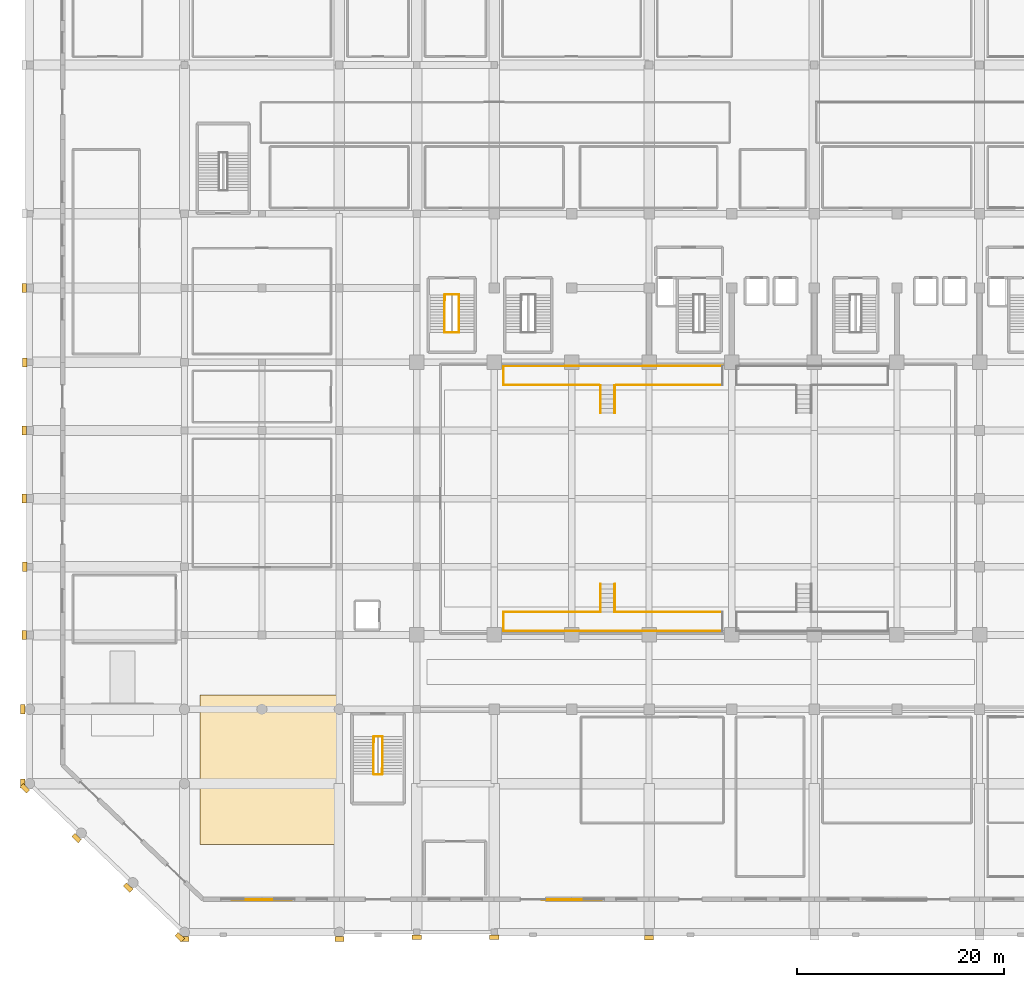
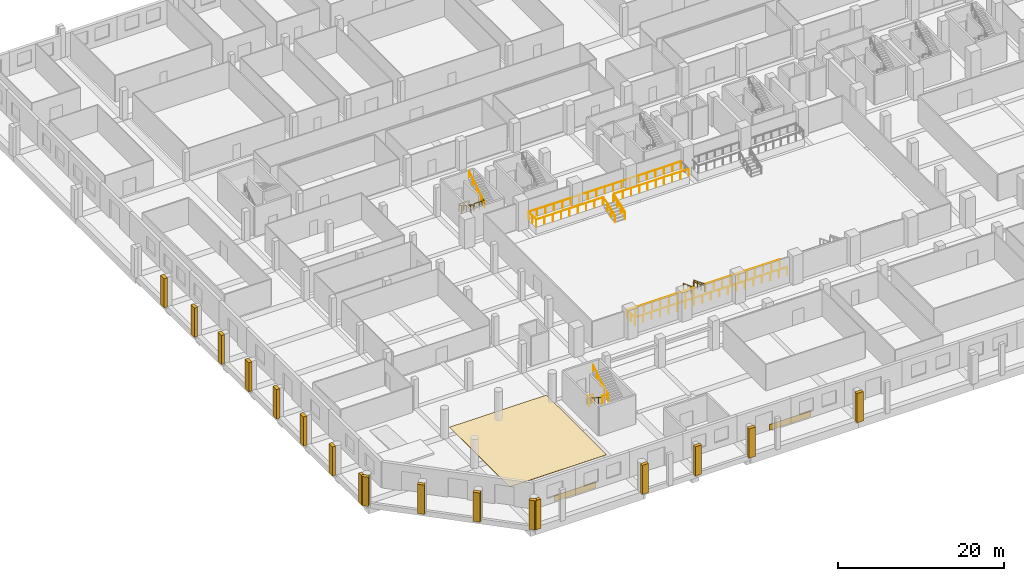
# One storey, part 27 of 33: 22 railings, 20 coverings.
"""IFC4 building model written with IfcOpenShell, lengths in metres."""

from ifc_helpers import new_model, si_unit, direction, frame, origin, origin_2d, place, context, subcontext, project, spatial, rectangle, circle, extrude, material, layer, layer_set, type_object, element, save


model = new_model("IFC4")

# Units and contexts
model_context = context("Model", 3, precision=1e-05, world=origin(), true_north=direction((0.0, 1.0)))
body_context = subcontext(model_context, "Body", "Model", "MODEL_VIEW")
ifc_project = project(units=[si_unit("LENGTHUNIT", "METRE"), si_unit("AREAUNIT", "SQUARE_METRE"), si_unit("VOLUMEUNIT", "CUBIC_METRE"), si_unit("PLANEANGLEUNIT", "RADIAN"), si_unit("MASSUNIT", "GRAM", prefix="KILO")], contexts=[model_context])

# Site, building, storey
site_placement = place(None, origin())
site = spatial("IfcSite", under=ifc_project, at=site_placement, CompositionType="ELEMENT")
building_placement = place(site_placement, origin())
building = spatial("IfcBuilding", under=site, at=building_placement, Name="Akrevak Sports Hall", CompositionType="ELEMENT")
storey_placement = place(building_placement, origin())
storey = spatial("IfcBuildingStorey", under=building, at=storey_placement, Name="L00", CompositionType="ELEMENT", Elevation=0.0)

# Coverings
ifc_material_1 = material(Name="Limestone Ashlar", Category="stone")
ifc_layer_1 = layer(ifc_material_1, 0.080078125, Name="Limestone Ashlar")
ifc_layer_set_1 = layer_set([ifc_layer_1], Name="Limestone Ashlar")
covering_type_1 = type_object("IfcCoveringType", Name="ARC-COV-CLAD-LIM", PredefinedType="CLADDING", material=ifc_layer_set_1)
for number, where, z_axis, x_axis, name in (
    (1, (22.5, 3.159912109375, 0.02490234375), (0.0, 0.0, 1.0), (1.0, 0.0, 0.0), "Arcade Limestone Plinth Band S01"),
    (2, (52.5, 3.159912109375, 0.02490234375), (0.0, 0.0, 1.0), (1.0, 0.0, 0.0), "Arcade Limestone Plinth Band S02"),
):
    element("IfcCovering", number, at=place(storey_placement, frame(where, z_axis=z_axis, x_axis=x_axis)), inside=storey, type_object=covering_type_1, Name=name, PredefinedType="CLADDING", context=body_context, shape_type="SweptSolid", body=[
        extrude(rectangle(XDim=5.800048828125, YDim=0.080078125, at=origin_2d()), origin(), (0.0, 0.0, 1.0), 0.85009765625),
    ])
ifc_material_2 = material(Name="Polished Marmara Marble Terrazzo", Category="stone")
ifc_layer_2 = layer(ifc_material_2, 0.034912109375, Name="Polished Marmara Marble Terrazzo")
ifc_layer_set_2 = layer_set([ifc_layer_2], Name="Polished Marmara Marble Terrazzo")
covering_type_2 = type_object("IfcCoveringType", Name="ARC-COV-FLR-TERZ", PredefinedType="FLOORING", material=ifc_layer_set_2)
covering_placement = place(storey_placement, frame((23.25, 15.75, 0.0), z_axis=(0.0, 0.0, 1.0), x_axis=(1.0, 0.0, 0.0)))
element("IfcCovering", 3, at=covering_placement, inside=storey, type_object=covering_type_2, Name="Rotunda Marmara Terrazzo Flooring", PredefinedType="FLOORING", context=body_context, shape_type="SweptSolid", body=[
    extrude(rectangle(XDim=13.5, YDim=14.5, at=origin_2d()), origin(), (0.0, 0.0, 1.0), 0.034912109375),
])
ifc_layer_3 = layer(ifc_material_1, 0.47998046875, Name="Limestone Ashlar")
ifc_layer_set_3 = layer_set([ifc_layer_3], Name="Limestone Ashlar")
covering_type_3 = type_object("IfcCoveringType", Name="ARC-COV-PIL-LIM", PredefinedType="CLADDING", material=ifc_layer_set_3)
for number, where, z_axis, x_axis, name in (
    (4, (15.0, -0.64990234375, 0.0), (0.0, 0.0, 1.0), (1.0, 0.0, 0.0), "Giant-Order Limestone Pilaster L00-01-01"),
    (5, (30.0, -0.64990234375, 0.0), (0.0, 0.0, 1.0), (1.0, 0.0, 0.0), "Giant-Order Limestone Pilaster L00-01-02"),
    (6, (37.5, -0.47509765625, 0.0), (0.0, 0.0, 1.0), (1.0, 0.0, 0.0), "Giant-Order Limestone Pilaster L00-01-03"),
    (7, (45.0, -0.47509765625, 0.0), (0.0, 0.0, 1.0), (1.0, 0.0, 0.0), "Giant-Order Limestone Pilaster L00-01-04"),
    (8, (60.0, -0.52490234375, 0.0), (0.0, 0.0, 1.0), (1.0, 0.0, 0.0), "Giant-Order Limestone Pilaster L00-01-05"),
    (9, (-0.64990234375, 14.39990234375, 0.0), (0.0, 0.0, 1.0), (0.0, -1.0, 0.0), "Giant-Order Limestone Pilaster L00-04-39"),
    (10, (-0.64990234375, 21.60009765625, 0.0), (0.0, 0.0, 1.0), (0.0, -1.0, 0.0), "Giant-Order Limestone Pilaster L00-04-40"),
    (11, (-0.52490234375, 28.800048828125, 0.0), (0.0, 0.0, 1.0), (0.0, -1.0, 0.0), "Giant-Order Limestone Pilaster L00-04-41"),
    (12, (-0.47509765625, 35.39990234375, 0.0), (0.0, 0.0, 1.0), (0.0, -1.0, 0.0), "Giant-Order Limestone Pilaster L00-04-42"),
    (13, (-0.52490234375, 42.0, 0.0), (0.0, 0.0, 1.0), (0.0, -1.0, 0.0), "Giant-Order Limestone Pilaster L00-04-43"),
    (14, (-0.52490234375, 48.60009765625, 0.0), (0.0, 0.0, 1.0), (0.0, -1.0, 0.0), "Giant-Order Limestone Pilaster L00-04-44"),
    (15, (-0.47509765625, 55.199951171875, 0.0), (0.0, 0.0, 1.0), (0.0, -1.0, 0.0), "Giant-Order Limestone Pilaster L00-04-45"),
    (16, (-0.52490234375, 62.39990234375, 0.0), (0.0, 0.0, 1.0), (0.0, -1.0, 0.0), "Giant-Order Limestone Pilaster L00-04-46"),
    (17, (-0.4501953125, 13.93115234375, 0.0), (0.0, 0.0, 1.0), (0.721385636978, -0.692533582407, 0.0), "Giant-Order Limestone Pilaster L00-05-49"),
    (18, (4.5498046875, 9.131103515625, 0.0), (0.0, 0.0, 1.0), (0.721385636978, -0.692533582407, 0.0), "Giant-Order Limestone Pilaster L00-05-50"),
    (19, (9.5498046875, 4.3310546875, 0.0), (0.0, 0.0, 1.0), (0.721385636978, -0.692533582407, 0.0), "Giant-Order Limestone Pilaster L00-05-51"),
    (20, (14.5498046875, -0.468994140625, 0.0), (0.0, 0.0, 1.0), (0.721385636978, -0.692533582407, 0.0), "Giant-Order Limestone Pilaster L00-05-51"),
):
    element("IfcCovering", number, at=place(storey_placement, frame(where, z_axis=z_axis, x_axis=x_axis)), inside=storey, type_object=covering_type_3, Name=name, PredefinedType="CLADDING", context=body_context, shape_type="SweptSolid", body=[
        extrude(rectangle(XDim=0.8798828125, YDim=0.4599609375, at=origin_2d()), origin(), (0.0, 0.0, 1.0), 4.300048828125),
    ])

# Railings
ifc_material_3 = material(Name="Painted Architectural Balustrade Steel", Category="steel")
ifc_layer_4 = layer(ifc_material_3, 0.06005859375, Name="Painted Architectural Balustrade Steel")
ifc_layer_set_4 = layer_set([ifc_layer_4], Name="Painted Architectural Balustrade Steel")
railing_type_1 = type_object("IfcRailingType", Name="ARC-RL-GRD-1120", PredefinedType="GUARDRAIL", material=ifc_layer_set_4)
railing_1_placement = place(storey_placement, frame((33.360107421875, 18.429931640625, 0.0)))
element("IfcRailing", 21, at=railing_1_placement, inside=storey, type_object=railing_type_1, Name="Stair Floor Landing Well Guard ST5 (L00)", PredefinedType="GUARDRAIL", context=body_context, shape_type="SweptSolid", body=[
    extrude(circle(Radius=0.02392578125, at=origin_2d()), frame((0.0, 0.0, 1.09619140625), z_axis=(0.0, 1.0, 0.0), x_axis=(-1.0, 0.0, 0.0)), (0.0, 0.0, 1.0), 0.550048828125),
    extrude(circle(Radius=0.02392578125, at=origin_2d()), frame((0.0, 0.550048828125, 1.09619140625), z_axis=(1.0, 0.0, 0.0), x_axis=(0.0, 1.0, 0.0)), (0.0, 0.0, 1.0), 0.809814453125),
    extrude(circle(Radius=0.02099609375, at=origin_2d()), origin(), (0.0, 0.0, 1.0), 1.072021484375),
    extrude(circle(Radius=0.02099609375, at=origin_2d()), frame((0.0, 0.550048828125, 0.0)), (0.0, 0.0, 1.0), 1.072021484375),
    extrude(circle(Radius=0.02099609375, at=origin_2d()), frame((0.809814453125, 0.550048828125, 0.0)), (0.0, 0.0, 1.0), 1.072021484375),
])
railing_2_placement = place(storey_placement, frame((33.330078125, 15.280029296875, 2.300048828125)))
element("IfcRailing", 22, at=railing_2_placement, inside=storey, type_object=railing_type_1, Name="Stair Landing Well Guard ST5-L00-1", PredefinedType="GUARDRAIL", context=body_context, shape_type="SweptSolid", body=[
    extrude(circle(Radius=0.02392578125, at=origin_2d()), frame((0.0, 0.0, 1.09619140625), z_axis=(1.0, 0.0, 0.0), x_axis=(0.0, 1.0, 0.0)), (0.0, 0.0, 1.0), 0.809814453125),
    extrude(circle(Radius=0.02392578125, at=origin_2d()), frame((0.809814453125, 0.0, 1.09619140625), z_axis=(0.0, 1.0, 0.0), x_axis=(-1.0, 0.0, 0.0)), (0.0, 0.0, 1.0), 0.52001953125),
    extrude(circle(Radius=0.02099609375, at=origin_2d()), origin(), (0.0, 0.0, 1.0), 1.072021484375),
    extrude(circle(Radius=0.02099609375, at=origin_2d()), frame((0.809814453125, 0.0, 0.0)), (0.0, 0.0, 1.0), 1.072021484375),
    extrude(circle(Radius=0.02099609375, at=origin_2d()), frame((0.809814453125, 0.52001953125, 0.0)), (0.0, 0.0, 1.0), 1.072021484375),
])
railing_3_placement = place(storey_placement, frame((40.219970703125, 61.215087890625, 0.0)))
element("IfcRailing", 23, at=railing_3_placement, inside=storey, type_object=railing_type_1, Name="Stair Floor Landing Well Guard ST9 (L00)", PredefinedType="GUARDRAIL", context=body_context, shape_type="SweptSolid", body=[
    extrude(circle(Radius=0.02392578125, at=origin_2d()), frame((0.0, 0.0, 1.09619140625), z_axis=(0.0, 1.0, 0.0), x_axis=(-1.0, 0.0, 0.0)), (0.0, 0.0, 1.0), 0.5498046875),
    extrude(circle(Radius=0.02392578125, at=origin_2d()), frame((0.0, 0.5498046875, 1.09619140625), z_axis=(1.0, 0.0, 0.0), x_axis=(0.0, 1.0, 0.0)), (0.0, 0.0, 1.0), 1.39013671875),
    extrude(circle(Radius=0.02099609375, at=origin_2d()), origin(), (0.0, 0.0, 1.0), 1.072021484375),
    extrude(circle(Radius=0.02099609375, at=origin_2d()), frame((0.0, 0.5498046875, 0.0)), (0.0, 0.0, 1.0), 1.072021484375),
    extrude(circle(Radius=0.02099609375, at=origin_2d()), frame((0.695068359375, 0.5498046875, 0.0)), (0.0, 0.0, 1.0), 1.072021484375),
    extrude(circle(Radius=0.02099609375, at=origin_2d()), frame((1.39013671875, 0.5498046875, 0.0)), (0.0, 0.0, 1.0), 1.072021484375),
])
railing_4_placement = place(storey_placement, frame((40.18994140625, 58.06494140625, 2.300048828125)))
element("IfcRailing", 24, at=railing_4_placement, inside=storey, type_object=railing_type_1, Name="Stair Landing Well Guard ST9-L00-1", PredefinedType="GUARDRAIL", context=body_context, shape_type="SweptSolid", body=[
    extrude(circle(Radius=0.02392578125, at=origin_2d()), frame((0.0, 0.0, 1.09619140625), z_axis=(1.0, 0.0, 0.0), x_axis=(0.0, 1.0, 0.0)), (0.0, 0.0, 1.0), 1.39013671875),
    extrude(circle(Radius=0.02392578125, at=origin_2d()), frame((1.39013671875, 0.0, 1.09619140625), z_axis=(0.0, 1.0, 0.0), x_axis=(-1.0, 0.0, 0.0)), (0.0, 0.0, 1.0), 0.52001953125),
    extrude(circle(Radius=0.02099609375, at=origin_2d()), origin(), (0.0, 0.0, 1.0), 1.072021484375),
    extrude(circle(Radius=0.02099609375, at=origin_2d()), frame((0.695068359375, 0.0, 0.0)), (0.0, 0.0, 1.0), 1.072021484375),
    extrude(circle(Radius=0.02099609375, at=origin_2d()), frame((1.39013671875, 0.0, 0.0)), (0.0, 0.0, 1.0), 1.072021484375),
    extrude(circle(Radius=0.02099609375, at=origin_2d()), frame((1.39013671875, 0.52001953125, 0.0)), (0.0, 0.0, 1.0), 1.072021484375),
])
for number, where, name in (
    (25, (55.280029296875, 33.719970703125, 0.0), "Handball South Stand Gangway 1 Side Guardrail L"),
    (26, (56.719970703125, 33.719970703125, 0.0), "Handball South Stand Gangway 1 Side Guardrail R"),
):
    element("IfcRailing", number, at=place(storey_placement, frame(where)), inside=storey, type_object=railing_type_1, Name=name, PredefinedType="GUARDRAIL", context=body_context, shape_type="SweptSolid", body=[
        extrude(circle(Radius=0.02392578125, at=origin_2d()), frame((0.0, 0.0, 1.09619140625), z_axis=(0.0, -0.931996763482, 0.362466595509), x_axis=(1.0, 0.0, 0.0)), (0.0, 0.0, 1.0), 2.89697265625),
        extrude(circle(Radius=0.02099609375, at=origin_2d()), origin(), (0.0, 0.0, 1.0), 1.072021484375),
        extrude(circle(Radius=0.02099609375, at=origin_2d()), frame((0.0, -0.89990234375, 0.35009765625)), (0.0, 0.0, 1.0), 1.072021484375),
        extrude(circle(Radius=0.02099609375, at=origin_2d()), frame((0.0, -1.800048828125, 0.699951171875)), (0.0, 0.0, 1.0), 1.072021484375),
        extrude(circle(Radius=0.02099609375, at=origin_2d()), frame((0.0, -2.699951171875, 1.050048828125)), (0.0, 0.0, 1.0), 1.072021484375),
    ])
for number, where, name in (
    (27, (55.280029296875, 50.280029296875, 0.0), "Handball North Stand Gangway 3 Side Guardrail L"),
    (28, (56.719970703125, 50.280029296875, 0.0), "Handball North Stand Gangway 3 Side Guardrail R"),
):
    element("IfcRailing", number, at=place(storey_placement, frame(where)), inside=storey, type_object=railing_type_1, Name=name, PredefinedType="GUARDRAIL", context=body_context, shape_type="SweptSolid", body=[
        extrude(circle(Radius=0.02392578125, at=origin_2d()), frame((0.0, 0.0, 1.09619140625), z_axis=(0.0, 0.931996763482, 0.362466595509), x_axis=(-1.0, 0.0, 0.0)), (0.0, 0.0, 1.0), 2.89697265625),
        extrude(circle(Radius=0.02099609375, at=origin_2d()), origin(), (0.0, 0.0, 1.0), 1.072021484375),
        extrude(circle(Radius=0.02099609375, at=origin_2d()), frame((0.0, 0.89990234375, 0.35009765625)), (0.0, 0.0, 1.0), 1.072021484375),
        extrude(circle(Radius=0.02099609375, at=origin_2d()), frame((0.0, 1.800048828125, 0.699951171875)), (0.0, 0.0, 1.0), 1.072021484375),
        extrude(circle(Radius=0.02099609375, at=origin_2d()), frame((0.0, 2.699951171875, 1.050048828125)), (0.0, 0.0, 1.0), 1.072021484375),
    ])
railing_5_placement = place(storey_placement, frame((45.8798828125, 29.179931640625, 1.050048828125)))
element("IfcRailing", 29, at=railing_5_placement, inside=storey, type_object=railing_type_1, Name="Spectator Stand Crowd Barrier HB-S1-BACK", PredefinedType="GUARDRAIL", context=body_context, shape_type="SweptSolid", body=[
    extrude(circle(Radius=0.02392578125, at=origin_2d()), frame((0.0, 0.0, 1.09619140625), z_axis=(1.0, 0.0, 0.0), x_axis=(0.0, 1.0, 0.0)), (0.0, 0.0, 1.0), 21.240234375),
    extrude(circle(Radius=0.02099609375, at=origin_2d()), origin(), (0.0, 0.0, 1.0), 1.072021484375),
    extrude(circle(Radius=0.02099609375, at=origin_2d()), frame((1.179931640625, 0.0, 0.0)), (0.0, 0.0, 1.0), 1.072021484375),
    extrude(circle(Radius=0.02099609375, at=origin_2d()), frame((2.360107421875, 0.0, 0.0)), (0.0, 0.0, 1.0), 1.072021484375),
    extrude(circle(Radius=0.02099609375, at=origin_2d()), frame((3.5400390625, 0.0, 0.0)), (0.0, 0.0, 1.0), 1.072021484375),
    extrude(circle(Radius=0.02099609375, at=origin_2d()), frame((4.719970703125, 0.0, 0.0)), (0.0, 0.0, 1.0), 1.072021484375),
    extrude(circle(Radius=0.02099609375, at=origin_2d()), frame((5.900146484375, 0.0, 0.0)), (0.0, 0.0, 1.0), 1.072021484375),
    extrude(circle(Radius=0.02099609375, at=origin_2d()), frame((7.080078125, 0.0, 0.0)), (0.0, 0.0, 1.0), 1.072021484375),
    extrude(circle(Radius=0.02099609375, at=origin_2d()), frame((8.260009765625, 0.0, 0.0)), (0.0, 0.0, 1.0), 1.072021484375),
    extrude(circle(Radius=0.02099609375, at=origin_2d()), frame((9.440185546875, 0.0, 0.0)), (0.0, 0.0, 1.0), 1.072021484375),
    extrude(circle(Radius=0.02099609375, at=origin_2d()), frame((10.6201171875, 0.0, 0.0)), (0.0, 0.0, 1.0), 1.072021484375),
    extrude(circle(Radius=0.02099609375, at=origin_2d()), frame((11.800048828125, 0.0, 0.0)), (0.0, 0.0, 1.0), 1.072021484375),
    extrude(circle(Radius=0.02099609375, at=origin_2d()), frame((12.980224609375, 0.0, 0.0)), (0.0, 0.0, 1.0), 1.072021484375),
    extrude(circle(Radius=0.02099609375, at=origin_2d()), frame((14.16015625, 0.0, 0.0)), (0.0, 0.0, 1.0), 1.072021484375),
    extrude(circle(Radius=0.02099609375, at=origin_2d()), frame((15.340087890625, 0.0, 0.0)), (0.0, 0.0, 1.0), 1.072021484375),
    extrude(circle(Radius=0.02099609375, at=origin_2d()), frame((16.520263671875, 0.0, 0.0)), (0.0, 0.0, 1.0), 1.072021484375),
    extrude(circle(Radius=0.02099609375, at=origin_2d()), frame((17.7001953125, 0.0, 0.0)), (0.0, 0.0, 1.0), 1.072021484375),
    extrude(circle(Radius=0.02099609375, at=origin_2d()), frame((18.880126953125, 0.0, 0.0)), (0.0, 0.0, 1.0), 1.072021484375),
    extrude(circle(Radius=0.02099609375, at=origin_2d()), frame((20.060302734375, 0.0, 0.0)), (0.0, 0.0, 1.0), 1.072021484375),
    extrude(circle(Radius=0.02099609375, at=origin_2d()), frame((21.240234375, 0.0, 0.0)), (0.0, 0.0, 1.0), 1.072021484375),
])
railing_6_placement = place(storey_placement, frame((45.8798828125, 29.179931640625, 1.050048828125)))
element("IfcRailing", 30, at=railing_6_placement, inside=storey, type_object=railing_type_1, Name="Spectator Stand Crowd Barrier HB-S1-W", PredefinedType="GUARDRAIL", context=body_context, shape_type="SweptSolid", body=[
    extrude(circle(Radius=0.02392578125, at=origin_2d()), frame((0.0, 0.0, 1.09619140625), z_axis=(0.0, 1.0, 0.0), x_axis=(-1.0, 0.0, 0.0)), (0.0, 0.0, 1.0), 1.840087890625),
    extrude(circle(Radius=0.02099609375, at=origin_2d()), origin(), (0.0, 0.0, 1.0), 1.072021484375),
    extrude(circle(Radius=0.02099609375, at=origin_2d()), frame((0.0, 0.919921875, 0.0)), (0.0, 0.0, 1.0), 1.072021484375),
    extrude(circle(Radius=0.02099609375, at=origin_2d()), frame((0.0, 1.840087890625, 0.0)), (0.0, 0.0, 1.0), 1.072021484375),
])
railing_7_placement = place(storey_placement, frame((45.8798828125, 31.02001953125, 1.050048828125)))
element("IfcRailing", 31, at=railing_7_placement, inside=storey, type_object=railing_type_1, Name="Spectator Stand Crowd Barrier HB-S1-FR-L", PredefinedType="GUARDRAIL", context=body_context, shape_type="SweptSolid", body=[
    extrude(circle(Radius=0.02392578125, at=origin_2d()), frame((0.0, 0.0, 1.09619140625), z_axis=(1.0, 0.0, 0.0), x_axis=(0.0, 1.0, 0.0)), (0.0, 0.0, 1.0), 9.2900390625),
    extrude(circle(Radius=0.02099609375, at=origin_2d()), origin(), (0.0, 0.0, 1.0), 1.072021484375),
    extrude(circle(Radius=0.02099609375, at=origin_2d()), frame((1.1611328125, 0.0, 0.0)), (0.0, 0.0, 1.0), 1.072021484375),
    extrude(circle(Radius=0.02099609375, at=origin_2d()), frame((2.322509765625, 0.0, 0.0)), (0.0, 0.0, 1.0), 1.072021484375),
    extrude(circle(Radius=0.02099609375, at=origin_2d()), frame((3.48388671875, 0.0, 0.0)), (0.0, 0.0, 1.0), 1.072021484375),
    extrude(circle(Radius=0.02099609375, at=origin_2d()), frame((4.64501953125, 0.0, 0.0)), (0.0, 0.0, 1.0), 1.072021484375),
    extrude(circle(Radius=0.02099609375, at=origin_2d()), frame((5.80615234375, 0.0, 0.0)), (0.0, 0.0, 1.0), 1.072021484375),
    extrude(circle(Radius=0.02099609375, at=origin_2d()), frame((6.967529296875, 0.0, 0.0)), (0.0, 0.0, 1.0), 1.072021484375),
    extrude(circle(Radius=0.02099609375, at=origin_2d()), frame((8.12890625, 0.0, 0.0)), (0.0, 0.0, 1.0), 1.072021484375),
    extrude(circle(Radius=0.02099609375, at=origin_2d()), frame((9.2900390625, 0.0, 0.0)), (0.0, 0.0, 1.0), 1.072021484375),
])
railing_8_placement = place(storey_placement, frame((56.830078125, 31.02001953125, 1.050048828125)))
element("IfcRailing", 32, at=railing_8_placement, inside=storey, type_object=railing_type_1, Name="Spectator Stand Crowd Barrier HB-S1-FR-R", PredefinedType="GUARDRAIL", context=body_context, shape_type="SweptSolid", body=[
    extrude(circle(Radius=0.02392578125, at=origin_2d()), frame((0.0, 0.0, 1.09619140625), z_axis=(1.0, 0.0, 0.0), x_axis=(0.0, 1.0, 0.0)), (0.0, 0.0, 1.0), 10.2900390625),
    extrude(circle(Radius=0.02099609375, at=origin_2d()), origin(), (0.0, 0.0, 1.0), 1.072021484375),
    extrude(circle(Radius=0.02099609375, at=origin_2d()), frame((1.143310546875, 0.0, 0.0)), (0.0, 0.0, 1.0), 1.072021484375),
    extrude(circle(Radius=0.02099609375, at=origin_2d()), frame((2.28662109375, 0.0, 0.0)), (0.0, 0.0, 1.0), 1.072021484375),
    extrude(circle(Radius=0.02099609375, at=origin_2d()), frame((3.429931640625, 0.0, 0.0)), (0.0, 0.0, 1.0), 1.072021484375),
    extrude(circle(Radius=0.02099609375, at=origin_2d()), frame((4.5732421875, 0.0, 0.0)), (0.0, 0.0, 1.0), 1.072021484375),
    extrude(circle(Radius=0.02099609375, at=origin_2d()), frame((5.716796875, 0.0, 0.0)), (0.0, 0.0, 1.0), 1.072021484375),
    extrude(circle(Radius=0.02099609375, at=origin_2d()), frame((6.860107421875, 0.0, 0.0)), (0.0, 0.0, 1.0), 1.072021484375),
    extrude(circle(Radius=0.02099609375, at=origin_2d()), frame((8.00341796875, 0.0, 0.0)), (0.0, 0.0, 1.0), 1.072021484375),
    extrude(circle(Radius=0.02099609375, at=origin_2d()), frame((9.146728515625, 0.0, 0.0)), (0.0, 0.0, 1.0), 1.072021484375),
    extrude(circle(Radius=0.02099609375, at=origin_2d()), frame((10.2900390625, 0.0, 0.0)), (0.0, 0.0, 1.0), 1.072021484375),
])
railing_9_placement = place(storey_placement, frame((45.8798828125, 54.820068359375, 1.050048828125)))
element("IfcRailing", 33, at=railing_9_placement, inside=storey, type_object=railing_type_1, Name="Spectator Stand Crowd Barrier HB-N1-BACK", PredefinedType="GUARDRAIL", context=body_context, shape_type="SweptSolid", body=[
    extrude(circle(Radius=0.02392578125, at=origin_2d()), frame((0.0, 0.0, 1.09619140625), z_axis=(1.0, 0.0, 0.0), x_axis=(0.0, 1.0, 0.0)), (0.0, 0.0, 1.0), 21.240234375),
    extrude(circle(Radius=0.02099609375, at=origin_2d()), origin(), (0.0, 0.0, 1.0), 1.072021484375),
    extrude(circle(Radius=0.02099609375, at=origin_2d()), frame((1.179931640625, 0.0, 0.0)), (0.0, 0.0, 1.0), 1.072021484375),
    extrude(circle(Radius=0.02099609375, at=origin_2d()), frame((2.360107421875, 0.0, 0.0)), (0.0, 0.0, 1.0), 1.072021484375),
    extrude(circle(Radius=0.02099609375, at=origin_2d()), frame((3.5400390625, 0.0, 0.0)), (0.0, 0.0, 1.0), 1.072021484375),
    extrude(circle(Radius=0.02099609375, at=origin_2d()), frame((4.719970703125, 0.0, 0.0)), (0.0, 0.0, 1.0), 1.072021484375),
    extrude(circle(Radius=0.02099609375, at=origin_2d()), frame((5.900146484375, 0.0, 0.0)), (0.0, 0.0, 1.0), 1.072021484375),
    extrude(circle(Radius=0.02099609375, at=origin_2d()), frame((7.080078125, 0.0, 0.0)), (0.0, 0.0, 1.0), 1.072021484375),
    extrude(circle(Radius=0.02099609375, at=origin_2d()), frame((8.260009765625, 0.0, 0.0)), (0.0, 0.0, 1.0), 1.072021484375),
    extrude(circle(Radius=0.02099609375, at=origin_2d()), frame((9.440185546875, 0.0, 0.0)), (0.0, 0.0, 1.0), 1.072021484375),
    extrude(circle(Radius=0.02099609375, at=origin_2d()), frame((10.6201171875, 0.0, 0.0)), (0.0, 0.0, 1.0), 1.072021484375),
    extrude(circle(Radius=0.02099609375, at=origin_2d()), frame((11.800048828125, 0.0, 0.0)), (0.0, 0.0, 1.0), 1.072021484375),
    extrude(circle(Radius=0.02099609375, at=origin_2d()), frame((12.980224609375, 0.0, 0.0)), (0.0, 0.0, 1.0), 1.072021484375),
    extrude(circle(Radius=0.02099609375, at=origin_2d()), frame((14.16015625, 0.0, 0.0)), (0.0, 0.0, 1.0), 1.072021484375),
    extrude(circle(Radius=0.02099609375, at=origin_2d()), frame((15.340087890625, 0.0, 0.0)), (0.0, 0.0, 1.0), 1.072021484375),
    extrude(circle(Radius=0.02099609375, at=origin_2d()), frame((16.520263671875, 0.0, 0.0)), (0.0, 0.0, 1.0), 1.072021484375),
    extrude(circle(Radius=0.02099609375, at=origin_2d()), frame((17.7001953125, 0.0, 0.0)), (0.0, 0.0, 1.0), 1.072021484375),
    extrude(circle(Radius=0.02099609375, at=origin_2d()), frame((18.880126953125, 0.0, 0.0)), (0.0, 0.0, 1.0), 1.072021484375),
    extrude(circle(Radius=0.02099609375, at=origin_2d()), frame((20.060302734375, 0.0, 0.0)), (0.0, 0.0, 1.0), 1.072021484375),
    extrude(circle(Radius=0.02099609375, at=origin_2d()), frame((21.240234375, 0.0, 0.0)), (0.0, 0.0, 1.0), 1.072021484375),
])
railing_10_placement = place(storey_placement, frame((45.8798828125, 52.97998046875, 1.050048828125)))
element("IfcRailing", 34, at=railing_10_placement, inside=storey, type_object=railing_type_1, Name="Spectator Stand Crowd Barrier HB-N1-W", PredefinedType="GUARDRAIL", context=body_context, shape_type="SweptSolid", body=[
    extrude(circle(Radius=0.02392578125, at=origin_2d()), frame((0.0, 0.0, 1.09619140625), z_axis=(0.0, 1.0, 0.0), x_axis=(-1.0, 0.0, 0.0)), (0.0, 0.0, 1.0), 1.840087890625),
    extrude(circle(Radius=0.02099609375, at=origin_2d()), origin(), (0.0, 0.0, 1.0), 1.072021484375),
    extrude(circle(Radius=0.02099609375, at=origin_2d()), frame((0.0, 0.919921875, 0.0)), (0.0, 0.0, 1.0), 1.072021484375),
    extrude(circle(Radius=0.02099609375, at=origin_2d()), frame((0.0, 1.840087890625, 0.0)), (0.0, 0.0, 1.0), 1.072021484375),
])
railing_11_placement = place(storey_placement, frame((45.8798828125, 52.97998046875, 1.050048828125)))
element("IfcRailing", 35, at=railing_11_placement, inside=storey, type_object=railing_type_1, Name="Spectator Stand Crowd Barrier HB-N1-FR-L", PredefinedType="GUARDRAIL", context=body_context, shape_type="SweptSolid", body=[
    extrude(circle(Radius=0.02392578125, at=origin_2d()), frame((0.0, 0.0, 1.09619140625), z_axis=(1.0, 0.0, 0.0), x_axis=(0.0, 1.0, 0.0)), (0.0, 0.0, 1.0), 9.2900390625),
    extrude(circle(Radius=0.02099609375, at=origin_2d()), origin(), (0.0, 0.0, 1.0), 1.072021484375),
    extrude(circle(Radius=0.02099609375, at=origin_2d()), frame((1.1611328125, 0.0, 0.0)), (0.0, 0.0, 1.0), 1.072021484375),
    extrude(circle(Radius=0.02099609375, at=origin_2d()), frame((2.322509765625, 0.0, 0.0)), (0.0, 0.0, 1.0), 1.072021484375),
    extrude(circle(Radius=0.02099609375, at=origin_2d()), frame((3.48388671875, 0.0, 0.0)), (0.0, 0.0, 1.0), 1.072021484375),
    extrude(circle(Radius=0.02099609375, at=origin_2d()), frame((4.64501953125, 0.0, 0.0)), (0.0, 0.0, 1.0), 1.072021484375),
    extrude(circle(Radius=0.02099609375, at=origin_2d()), frame((5.80615234375, 0.0, 0.0)), (0.0, 0.0, 1.0), 1.072021484375),
    extrude(circle(Radius=0.02099609375, at=origin_2d()), frame((6.967529296875, 0.0, 0.0)), (0.0, 0.0, 1.0), 1.072021484375),
    extrude(circle(Radius=0.02099609375, at=origin_2d()), frame((8.12890625, 0.0, 0.0)), (0.0, 0.0, 1.0), 1.072021484375),
    extrude(circle(Radius=0.02099609375, at=origin_2d()), frame((9.2900390625, 0.0, 0.0)), (0.0, 0.0, 1.0), 1.072021484375),
])
railing_12_placement = place(storey_placement, frame((56.830078125, 52.97998046875, 1.050048828125)))
element("IfcRailing", 36, at=railing_12_placement, inside=storey, type_object=railing_type_1, Name="Spectator Stand Crowd Barrier HB-N1-FR-R", PredefinedType="GUARDRAIL", context=body_context, shape_type="SweptSolid", body=[
    extrude(circle(Radius=0.02392578125, at=origin_2d()), frame((0.0, 0.0, 1.09619140625), z_axis=(1.0, 0.0, 0.0), x_axis=(0.0, 1.0, 0.0)), (0.0, 0.0, 1.0), 10.2900390625),
    extrude(circle(Radius=0.02099609375, at=origin_2d()), origin(), (0.0, 0.0, 1.0), 1.072021484375),
    extrude(circle(Radius=0.02099609375, at=origin_2d()), frame((1.143310546875, 0.0, 0.0)), (0.0, 0.0, 1.0), 1.072021484375),
    extrude(circle(Radius=0.02099609375, at=origin_2d()), frame((2.28662109375, 0.0, 0.0)), (0.0, 0.0, 1.0), 1.072021484375),
    extrude(circle(Radius=0.02099609375, at=origin_2d()), frame((3.429931640625, 0.0, 0.0)), (0.0, 0.0, 1.0), 1.072021484375),
    extrude(circle(Radius=0.02099609375, at=origin_2d()), frame((4.5732421875, 0.0, 0.0)), (0.0, 0.0, 1.0), 1.072021484375),
    extrude(circle(Radius=0.02099609375, at=origin_2d()), frame((5.716796875, 0.0, 0.0)), (0.0, 0.0, 1.0), 1.072021484375),
    extrude(circle(Radius=0.02099609375, at=origin_2d()), frame((6.860107421875, 0.0, 0.0)), (0.0, 0.0, 1.0), 1.072021484375),
    extrude(circle(Radius=0.02099609375, at=origin_2d()), frame((8.00341796875, 0.0, 0.0)), (0.0, 0.0, 1.0), 1.072021484375),
    extrude(circle(Radius=0.02099609375, at=origin_2d()), frame((9.146728515625, 0.0, 0.0)), (0.0, 0.0, 1.0), 1.072021484375),
    extrude(circle(Radius=0.02099609375, at=origin_2d()), frame((10.2900390625, 0.0, 0.0)), (0.0, 0.0, 1.0), 1.072021484375),
])
ifc_material_4 = material(Name="Brushed Stainless Steel 304", Category="steel")
ifc_layer_5 = layer(ifc_material_4, 0.050048828125, Name="Brushed Stainless Steel 304")
ifc_layer_set_5 = layer_set([ifc_layer_5], Name="Brushed Stainless Steel 304")
railing_type_2 = type_object("IfcRailingType", Name="ARC-RL-HND-900", PredefinedType="HANDRAIL", material=ifc_layer_set_5)
railing_13_placement = place(storey_placement, frame((33.330078125, 18.949951171875, 0.0)))
element("IfcRailing", 37, at=railing_13_placement, inside=storey, type_object=railing_type_2, Name="Stair Handrail ST5-L00-F1", PredefinedType="HANDRAIL", context=body_context, shape_type="SweptSolid", body=[
    extrude(circle(Radius=0.02392578125, at=origin_2d()), frame((0.0, 0.0, 0.8759765625), z_axis=(0.0, -0.845366270244, 0.534187110602), x_axis=(1.0, 0.0, 0.0)), (0.0, 0.0, 1.0), 4.3056640625),
    extrude(circle(Radius=0.02099609375, at=origin_2d()), origin(), (0.0, 0.0, 1.0), 0.851806640625),
    extrude(circle(Radius=0.02099609375, at=origin_2d()), frame((0.0, -0.909912109375, 0.574951171875)), (0.0, 0.0, 1.0), 0.851806640625),
    extrude(circle(Radius=0.02099609375, at=origin_2d()), frame((0.0, -1.81982421875, 1.14990234375)), (0.0, 0.0, 1.0), 0.851806640625),
    extrude(circle(Radius=0.02099609375, at=origin_2d()), frame((0.0, -2.72998046875, 1.72509765625)), (0.0, 0.0, 1.0), 0.851806640625),
    extrude(circle(Radius=0.02099609375, at=origin_2d()), frame((0.0, -3.639892578125, 2.300048828125)), (0.0, 0.0, 1.0), 0.851806640625),
])
railing_14_placement = place(storey_placement, frame((34.169921875, 15.31005859375, 2.300048828125)))
element("IfcRailing", 38, at=railing_14_placement, inside=storey, type_object=railing_type_2, Name="Stair Handrail ST5-L00-F2", PredefinedType="HANDRAIL", context=body_context, shape_type="SweptSolid", body=[
    extrude(circle(Radius=0.02392578125, at=origin_2d()), frame((0.0, 0.0, 0.8759765625), z_axis=(0.0, 0.845366270244, 0.534187110602), x_axis=(-1.0, 0.0, 0.0)), (0.0, 0.0, 1.0), 4.3056640625),
    extrude(circle(Radius=0.02099609375, at=origin_2d()), origin(), (0.0, 0.0, 1.0), 0.851806640625),
    extrude(circle(Radius=0.02099609375, at=origin_2d()), frame((0.0, 0.909912109375, 0.574951171875)), (0.0, 0.0, 1.0), 0.851806640625),
    extrude(circle(Radius=0.02099609375, at=origin_2d()), frame((0.0, 1.81982421875, 1.14990234375)), (0.0, 0.0, 1.0), 0.851806640625),
    extrude(circle(Radius=0.02099609375, at=origin_2d()), frame((0.0, 2.72998046875, 1.72509765625)), (0.0, 0.0, 1.0), 0.851806640625),
    extrude(circle(Radius=0.02099609375, at=origin_2d()), frame((0.0, 3.639892578125, 2.300048828125)), (0.0, 0.0, 1.0), 0.851806640625),
])
railing_15_placement = place(storey_placement, frame((40.18994140625, 61.735107421875, 0.0)))
element("IfcRailing", 39, at=railing_15_placement, inside=storey, type_object=railing_type_2, Name="Stair Handrail ST9-L00-F1", PredefinedType="HANDRAIL", context=body_context, shape_type="SweptSolid", body=[
    extrude(circle(Radius=0.02392578125, at=origin_2d()), frame((0.0, 0.0, 0.8759765625), z_axis=(0.0, -0.845382449256, 0.534161505998), x_axis=(1.0, 0.0, 0.0)), (0.0, 0.0, 1.0), 4.305908203125),
    extrude(circle(Radius=0.02099609375, at=origin_2d()), origin(), (0.0, 0.0, 1.0), 0.851806640625),
    extrude(circle(Radius=0.02099609375, at=origin_2d()), frame((0.0, -0.91015625, 0.574951171875)), (0.0, 0.0, 1.0), 0.851806640625),
    extrude(circle(Radius=0.02099609375, at=origin_2d()), frame((0.0, -1.820068359375, 1.14990234375)), (0.0, 0.0, 1.0), 0.851806640625),
    extrude(circle(Radius=0.02099609375, at=origin_2d()), frame((0.0, -2.72998046875, 1.72509765625)), (0.0, 0.0, 1.0), 0.851806640625),
    extrude(circle(Radius=0.02099609375, at=origin_2d()), frame((0.0, -3.64013671875, 2.300048828125)), (0.0, 0.0, 1.0), 0.851806640625),
])
railing_16_placement = place(storey_placement, frame((41.610107421875, 58.094970703125, 2.300048828125)))
element("IfcRailing", 40, at=railing_16_placement, inside=storey, type_object=railing_type_2, Name="Stair Handrail ST9-L00-F2", PredefinedType="HANDRAIL", context=body_context, shape_type="SweptSolid", body=[
    extrude(circle(Radius=0.02392578125, at=origin_2d()), frame((0.0, 0.0, 0.8759765625), z_axis=(0.0, 0.845382449256, 0.534161505998), x_axis=(-1.0, 0.0, 0.0)), (0.0, 0.0, 1.0), 4.305908203125),
    extrude(circle(Radius=0.02099609375, at=origin_2d()), origin(), (0.0, 0.0, 1.0), 0.851806640625),
    extrude(circle(Radius=0.02099609375, at=origin_2d()), frame((0.0, 0.91015625, 0.574951171875)), (0.0, 0.0, 1.0), 0.851806640625),
    extrude(circle(Radius=0.02099609375, at=origin_2d()), frame((0.0, 1.820068359375, 1.14990234375)), (0.0, 0.0, 1.0), 0.851806640625),
    extrude(circle(Radius=0.02099609375, at=origin_2d()), frame((0.0, 2.72998046875, 1.72509765625)), (0.0, 0.0, 1.0), 0.851806640625),
    extrude(circle(Radius=0.02099609375, at=origin_2d()), frame((0.0, 3.64013671875, 2.300048828125)), (0.0, 0.0, 1.0), 0.851806640625),
])
railing_17_placement = place(storey_placement, frame((56.669921875, 33.719970703125, 0.0)))
element("IfcRailing", 41, at=railing_17_placement, inside=storey, type_object=railing_type_2, Name="Handball South Stand Gangway 1 Handrail", PredefinedType="HANDRAIL", context=body_context, shape_type="SweptSolid", body=[
    extrude(circle(Radius=0.02392578125, at=origin_2d()), frame((0.0, 0.0, 0.8759765625), z_axis=(0.0, -0.931996763482, 0.362466595509), x_axis=(1.0, 0.0, 0.0)), (0.0, 0.0, 1.0), 2.89697265625),
    extrude(circle(Radius=0.02099609375, at=origin_2d()), origin(), (0.0, 0.0, 1.0), 0.851806640625),
    extrude(circle(Radius=0.02099609375, at=origin_2d()), frame((0.0, -0.89990234375, 0.35009765625)), (0.0, 0.0, 1.0), 0.851806640625),
    extrude(circle(Radius=0.02099609375, at=origin_2d()), frame((0.0, -1.800048828125, 0.699951171875)), (0.0, 0.0, 1.0), 0.851806640625),
    extrude(circle(Radius=0.02099609375, at=origin_2d()), frame((0.0, -2.699951171875, 1.050048828125)), (0.0, 0.0, 1.0), 0.851806640625),
])
railing_18_placement = place(storey_placement, frame((56.669921875, 50.280029296875, 0.0)))
element("IfcRailing", 42, at=railing_18_placement, inside=storey, type_object=railing_type_2, Name="Handball North Stand Gangway 3 Handrail", PredefinedType="HANDRAIL", context=body_context, shape_type="SweptSolid", body=[
    extrude(circle(Radius=0.02392578125, at=origin_2d()), frame((0.0, 0.0, 0.8759765625), z_axis=(0.0, 0.931996763482, 0.362466595509), x_axis=(-1.0, 0.0, 0.0)), (0.0, 0.0, 1.0), 2.89697265625),
    extrude(circle(Radius=0.02099609375, at=origin_2d()), origin(), (0.0, 0.0, 1.0), 0.851806640625),
    extrude(circle(Radius=0.02099609375, at=origin_2d()), frame((0.0, 0.89990234375, 0.35009765625)), (0.0, 0.0, 1.0), 0.851806640625),
    extrude(circle(Radius=0.02099609375, at=origin_2d()), frame((0.0, 1.800048828125, 0.699951171875)), (0.0, 0.0, 1.0), 0.851806640625),
    extrude(circle(Radius=0.02099609375, at=origin_2d()), frame((0.0, 2.699951171875, 1.050048828125)), (0.0, 0.0, 1.0), 0.851806640625),
])

save(model, "model.ifc")
